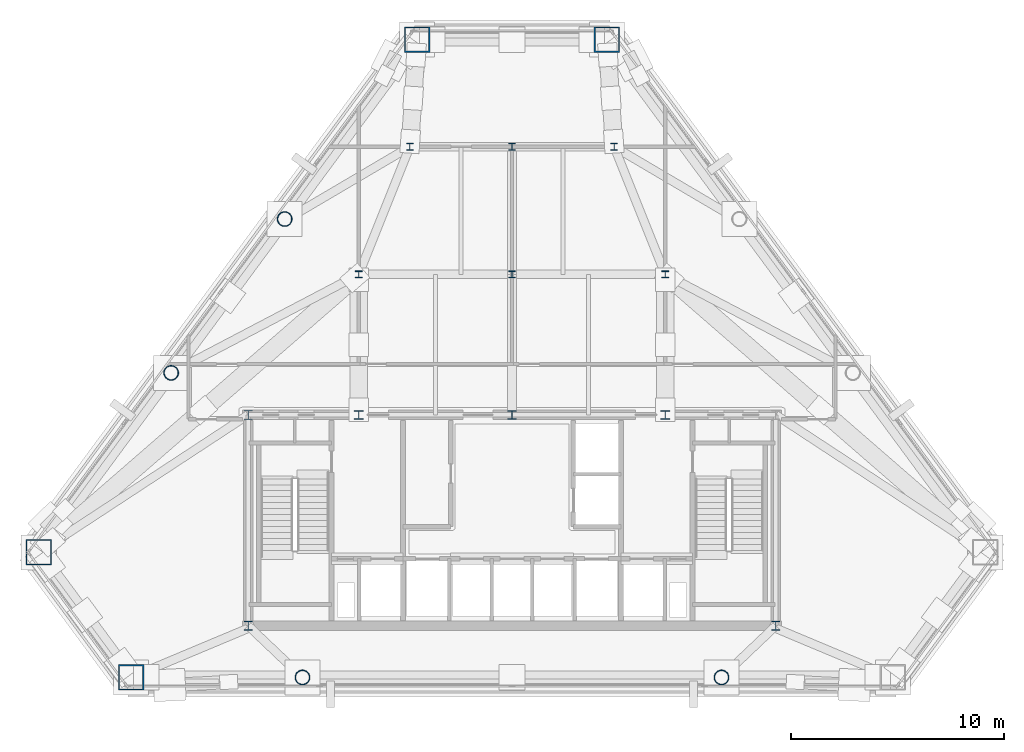
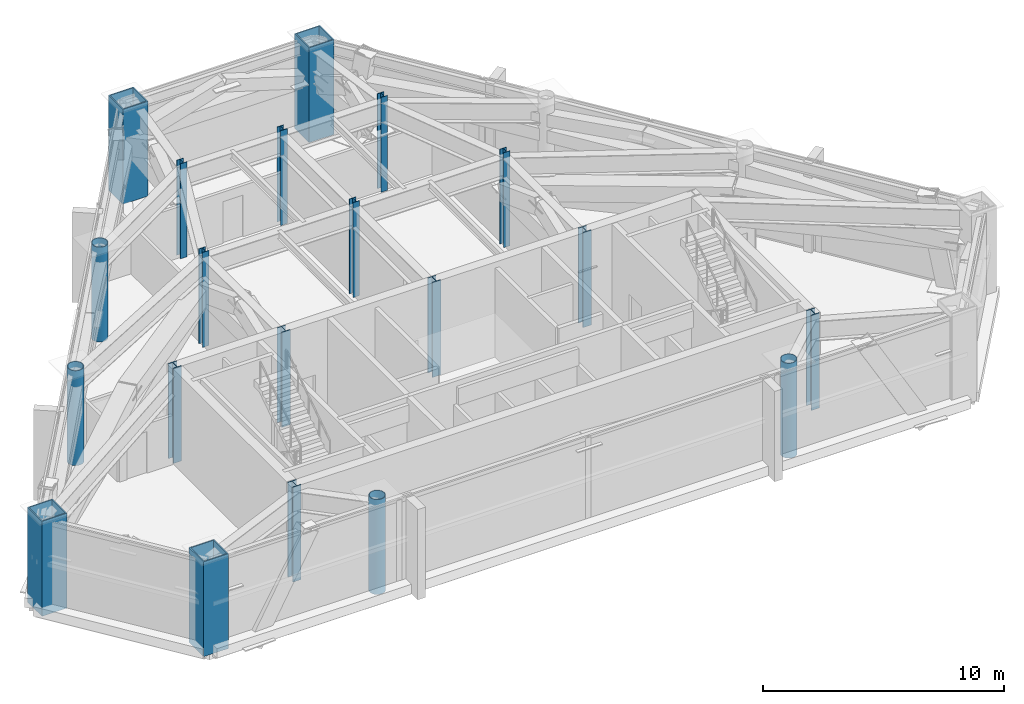
# One storey, part 1 of 10: 20 columns.
"""IFC4 building model written with IfcOpenShell, lengths in metres."""

import ifcopenshell
import ifcopenshell.guid

model = None  # the IFC model being written
_history = None  # IfcOwnerHistory: only IFC2X3 demands one
_inside = {}  # id of a spatial element -> (the spatial element, [elements in it])
_under = {}  # id of a project, library or spatial element -> (it, [spatial elements below it])
_declared = {}  # id of a project -> (the project, [libraries it declares])
_typed = {}  # id of a type object -> (the type object, [elements of that type])
_made_of = {}  # id of a material, layer set ... -> (it, [elements and type objects made of it])


def new_model(schema):
    """Start an empty IFC model of exactly this schema.

    Asked for "IFC4X3", IfcOpenShell would pick the latest addendum, in which some entities
    have other attributes; the version numbers below select the first issue.
    IFC2X3 requires an IfcOwnerHistory on every rooted entity: one is made here for all.
    """
    global model, _history
    if schema == "IFC4X3":
        model = ifcopenshell.file(schema_version=(4, 3, 0, 0))
    else:
        model = ifcopenshell.file(schema=schema)
    _inside.clear()
    _under.clear()
    _declared.clear()
    _typed.clear()
    _made_of.clear()
    _history = None
    if model.schema == "IFC2X3":
        org = make("IfcOrganization", Name="unknown")
        user = make(
            "IfcPersonAndOrganization",
            ThePerson=make("IfcPerson", FamilyName="unknown"),
            TheOrganization=org,
        )
        app = make(
            "IfcApplication",
            ApplicationDeveloper=org,
            Version="unknown",
            ApplicationFullName="unknown",
            ApplicationIdentifier="unknown",
        )
        _history = make(
            "IfcOwnerHistory",
            OwningUser=user,
            OwningApplication=app,
            ChangeAction="ADDED",
            CreationDate=0,
        )
    return model


def make(cls, **values):
    """One entity of the class cls with the attributes given. An attribute that is None is left unset."""
    return model.create_entity(
        cls, **{name: value for name, value in values.items() if value is not None}
    )


def rooted(cls, **values):
    """An entity with a GlobalId (a new one), such as an element, a storey or a relation."""
    return make(cls, GlobalId=ifcopenshell.guid.new(), OwnerHistory=_history, **values)


def si_unit(unit_type, name, prefix=None):
    """IfcSIUnit, for example si_unit("LENGTHUNIT", "METRE", prefix="MILLI")."""
    return make("IfcSIUnit", UnitType=unit_type, Prefix=prefix, Name=name)


def assignment(units):
    """IfcUnitAssignment: the units of a project."""
    return None if units is None else make("IfcUnitAssignment", Units=units)


def point(xyz):
    """IfcCartesianPoint."""
    return None if xyz is None else make("IfcCartesianPoint", Coordinates=xyz)


def direction(xyz):
    """IfcDirection."""
    return None if xyz is None else make("IfcDirection", DirectionRatios=xyz)


def frame(location, z_axis=None, x_axis=None):
    """IfcAxis2Placement3D, a coordinate frame: its origin and axes. An axis left out is left unset."""
    return make(
        "IfcAxis2Placement3D",
        Location=point(location),
        Axis=direction(z_axis),
        RefDirection=direction(x_axis),
    )


def frame_2d(location, x_axis=None):
    """IfcAxis2Placement2D, a coordinate frame in the plane: its origin and x axis."""
    return make(
        "IfcAxis2Placement2D", Location=point(location), RefDirection=direction(x_axis)
    )


def origin():
    """The frame at (0, 0, 0) with its axes left unset."""
    return frame((0.0, 0.0, 0.0))


def origin_2d():
    """The frame at (0, 0) in the plane with its x axis left unset."""
    return frame_2d((0.0, 0.0))


def place(relative_to, where):
    """IfcLocalPlacement: puts the frame where relative to a parent placement (None: the world)."""
    return make(
        "IfcLocalPlacement", PlacementRelTo=relative_to, RelativePlacement=where
    )


def context(
    kind, dimensions, precision=None, world=None, true_north=None, identifier=None
):
    """IfcGeometricRepresentationContext, for example the 3D "Model" context."""
    return make(
        "IfcGeometricRepresentationContext",
        ContextIdentifier=identifier,
        ContextType=kind,
        CoordinateSpaceDimension=dimensions,
        Precision=precision,
        WorldCoordinateSystem=world,
        TrueNorth=true_north,
    )


def subcontext(parent, identifier, kind, view, scale=None):
    """IfcGeometricRepresentationSubContext, for example "Body" below "Model"."""
    return make(
        "IfcGeometricRepresentationSubContext",
        ContextIdentifier=identifier,
        ContextType=kind,
        ParentContext=parent,
        TargetScale=scale,
        TargetView=view,
    )


def project(units=None, contexts=None):
    """IfcProject with its units and contexts."""
    return rooted(
        "IfcProject",
        Name="project",
        RepresentationContexts=contexts,
        UnitsInContext=assignment(units),
    )


def spatial(cls, under=None, at=None, **own):
    """A site, building, storey or space (cls), placed at a placement, below another one or the project."""
    s = rooted(cls, ObjectPlacement=at, **own)
    if under is not None:
        _under.setdefault(under.id(), (under, []))[1].append(s)
    return s


def profile(cls, at=None, kind="AREA", **sizes):
    """A parametric profile (cls). Its sizes go by their IFC names, for example OverallWidth=200.0."""
    return make(cls, ProfileType=kind, Position=at, **sizes)


def hollow_rectangle(**sizes):
    """IfcRectangleHollowProfileDef."""
    return profile("IfcRectangleHollowProfileDef", **sizes)


def hollow_circle(**sizes):
    """IfcCircleHollowProfileDef."""
    return profile("IfcCircleHollowProfileDef", **sizes)


def i_section(**sizes):
    """IfcIShapeProfileDef."""
    return profile("IfcIShapeProfileDef", **sizes)


def extrude(swept, where, along, depth):
    """IfcExtrudedAreaSolid: the profile swept, set in the frame where, extruded along a direction by depth."""
    return make(
        "IfcExtrudedAreaSolid",
        SweptArea=swept,
        Position=where,
        ExtrudedDirection=direction(along),
        Depth=depth,
    )


def shape(context_of_items, identifier, shape_type, items):
    """IfcShapeRepresentation: the items that make up one representation, for example the "Body"."""
    return make(
        "IfcShapeRepresentation",
        ContextOfItems=context_of_items,
        RepresentationIdentifier=identifier,
        RepresentationType=shape_type,
        Items=items,
    )


def material(Name=None, Category=None):
    """IfcMaterial."""
    return make("IfcMaterial", Name=Name, Category=Category)


def material_profile(
    of_material, cross_section, Name=None, Category=None, Priority=None
):
    """IfcMaterialProfile: a cross section and its material."""
    return make(
        "IfcMaterialProfile",
        Name=Name,
        Material=of_material,
        Profile=cross_section,
        Priority=Priority,
        Category=Category,
    )


def profile_set(profiles, Name=None, composite=None):
    """IfcMaterialProfileSet."""
    return make(
        "IfcMaterialProfileSet",
        Name=Name,
        MaterialProfiles=profiles,
        CompositeProfile=composite,
    )


def made_of(thing, what):
    """Note that an element or type object is made of a material, layer set ...; save() writes the relation."""
    if what is not None:
        _made_of.setdefault(what.id(), (what, []))[1].append(thing)
    return thing


def type_object(cls, material=None, **own):
    """A type object (cls), such as IfcWallType, which elements share."""
    return made_of(rooted(cls, **own), material)


def element(
    cls,
    number,
    at=None,
    inside=None,
    cuts=None,
    type_object=None,
    material=None,
    context=None,
    identifier="Body",
    shape_type=None,
    held_by="IfcProductDefinitionShape",
    body=None,
    shapes=None,
    **own,
):
    """One element of the class cls, such as IfcWall. Its Tag is "e" and its number.

    at: its placement. inside: the storey or other place that contains it. cuts: it is an
    opening in that element (IfcRelVoidsElement). A single representation is given by context,
    identifier, shape_type and body (its items); several are given by shapes. held_by: the class
    of the entity that holds the representations. save() writes the other relations.
    """
    e = rooted(cls, Tag="e%d" % number, ObjectPlacement=at, **own)
    if body is not None:
        shapes = [shape(context, identifier, shape_type, body)]
    if shapes is not None:
        e.Representation = make(held_by, Representations=shapes)
    if inside is not None:
        _inside.setdefault(inside.id(), (inside, []))[1].append(e)
    if cuts is not None:
        rooted(
            "IfcRelVoidsElement", RelatingBuildingElement=cuts, RelatedOpeningElement=e
        )
    if type_object is not None:
        _typed.setdefault(type_object.id(), (type_object, []))[1].append(e)
    return made_of(e, material)


def aggregate(whole, parts):
    """IfcRelAggregates: a whole, such as a stair, and the parts it consists of."""
    return rooted("IfcRelAggregates", RelatingObject=whole, RelatedObjects=parts)


def save(model, path):
    """Write the relations noted so far, then the file.

    IfcRelAggregates (storeys below a building ...), IfcRelContainedInSpatialStructure (elements
    in a storey), IfcRelDefinesByType, IfcRelAssociatesMaterial and IfcRelDeclares: one each for
    every whole, place, type object, material and project.
    """
    for whole, parts in _under.values():
        aggregate(whole, parts)
    for where, things in _inside.values():
        rooted(
            "IfcRelContainedInSpatialStructure",
            RelatedElements=things,
            RelatingStructure=where,
        )
    for kind, things in _typed.values():
        rooted("IfcRelDefinesByType", RelatedObjects=things, RelatingType=kind)
    for what, things in _made_of.values():
        rooted("IfcRelAssociatesMaterial", RelatedObjects=things, RelatingMaterial=what)
    for by, libraries in _declared.values():
        rooted("IfcRelDeclares", RelatingContext=by, RelatedDefinitions=libraries)
    model.write(path)


model = new_model("IFC4")

# Units and contexts
model_context = context("Model", 3, precision=1e-05, world=origin(), true_north=direction((0.0, 1.0)))
body_context = subcontext(model_context, "Body", "Model", "MODEL_VIEW")
ifc_project = project(units=[si_unit("LENGTHUNIT", "METRE"), si_unit("AREAUNIT", "SQUARE_METRE"), si_unit("VOLUMEUNIT", "CUBIC_METRE"), si_unit("PLANEANGLEUNIT", "RADIAN"), si_unit("MASSUNIT", "GRAM", prefix="KILO")], contexts=[model_context])

# Site, building, storey
site_placement = place(None, origin())
site = spatial("IfcSite", under=ifc_project, at=site_placement, CompositionType="ELEMENT")
building_placement = place(site_placement, origin())
building = spatial("IfcBuilding", under=site, at=building_placement, Name="Talgorran Terracotta Tower", CompositionType="ELEMENT")
storey_placement = place(building_placement, frame((0.0, 0.0, 168.89990234375)))
storey = spatial("IfcBuildingStorey", under=building, at=storey_placement, Name="L44", CompositionType="ELEMENT", Elevation=168.89990234375)

# Columns
ifc_material_1 = material(Name="Steel S355 (300PLUS)", Category="steel")
ifc_material_profile_1 = material_profile(ifc_material_1, i_section(OverallWidth=0.311279296875, OverallDepth=0.3271484375, WebThickness=0.015625, FlangeThickness=0.02490234375, at=origin_2d()), Name="310UC158")
ifc_profile_set_1 = profile_set([ifc_material_profile_1], Name="Steel S355 (300PLUS)")
column_type_1 = type_object("IfcColumnType", Name="COL_310UC158", PredefinedType="COLUMN", material=ifc_profile_set_1)
for number, where, z_axis, x_axis, name in (
    (1, (-7.199951171875, 2.39990234375, 0.0), (0.0, 0.0, 1.0), (1.0, 0.0, 0.0), "L44 Interior Gravity Column IC1"),
    (2, (0.0, 2.39990234375, 0.0), (0.0, 0.0, 1.0), (1.0, 0.0, 0.0), "L44 Interior Gravity Column IC2"),
    (3, (7.199951171875, 2.39990234375, 0.0), (0.0, 0.0, 1.0), (1.0, 0.0, 0.0), "L44 Interior Gravity Column IC3"),
    (4, (-4.800048828125, 8.39990234375, 0.0), (0.0, 0.0, 1.0), (1.0, 0.0, 0.0), "L44 Interior Gravity Column IC4"),
    (5, (0.0, 8.39990234375, 0.0), (0.0, 0.0, 1.0), (1.0, 0.0, 0.0), "L44 Interior Gravity Column IC5"),
    (6, (4.800048828125, 8.39990234375, 0.0), (0.0, 0.0, 1.0), (1.0, 0.0, 0.0), "L44 Interior Gravity Column IC6"),
):
    element("IfcColumn", number, at=place(storey_placement, frame(where, z_axis=z_axis, x_axis=x_axis)), inside=storey, type_object=column_type_1, Name=name, PredefinedType="COLUMN", context=body_context, shape_type="SweptSolid", body=[
        extrude(i_section(OverallWidth=0.311279296875, OverallDepth=0.3271484375, WebThickness=0.015625, FlangeThickness=0.02490234375, at=origin_2d()), origin(), (0.0, 0.0, 1.0), 4.800048828125),
    ])
ifc_material_profile_2 = material_profile(ifc_material_1, i_section(OverallWidth=0.39990234375, OverallDepth=0.43994140625, WebThickness=0.028076171875, FlangeThickness=0.0400390625, at=origin_2d()), Name="400WC328")
ifc_profile_set_2 = profile_set([ifc_material_profile_2], Name="Steel S355 (300PLUS)")
column_type_2 = type_object("IfcColumnType", Name="COL_400WC328", PredefinedType="COLUMN", material=ifc_profile_set_2)
for number, where, z_axis, x_axis, name in (
    (7, (-12.39990234375, -14.10009765625, 0.0), (0.0, 0.0, 1.0), (1.0, 0.0, 0.0), "L44 Core Boundary Column CC1"),
    (8, (12.39990234375, -14.10009765625, 0.0), (0.0, 0.0, 1.0), (1.0, 0.0, 0.0), "L44 Core Boundary Column CC2"),
    (9, (-12.39990234375, -4.199951171875, 0.0), (0.0, 0.0, 1.0), (1.0, 0.0, 0.0), "L44 Core Boundary Column CC4"),
):
    element("IfcColumn", number, at=place(storey_placement, frame(where, z_axis=z_axis, x_axis=x_axis)), inside=storey, type_object=column_type_2, Name=name, PredefinedType="COLUMN", context=body_context, shape_type="SweptSolid", body=[
        extrude(i_section(OverallWidth=0.39990234375, OverallDepth=0.43994140625, WebThickness=0.028076171875, FlangeThickness=0.0400390625, at=origin_2d()), origin(), (0.0, 0.0, 1.0), 4.800048828125),
    ])
ifc_material_2 = material(Name="Steel Grade 350 (350L0)", Category="steel")
ifc_material_profile_3 = material_profile(ifc_material_2, hollow_rectangle(XDim=1.199951171875, YDim=1.199951171875, WallThickness=0.054931640625, at=origin_2d()), Name="CFT1200X1200X55")
ifc_profile_set_3 = profile_set([ifc_material_profile_3], Name="Steel Grade 350 (350L0)")
column_type_3 = type_object("IfcColumnType", Name="COL_CFT_1200", PredefinedType="COLUMN", material=ifc_profile_set_3)
for number, where, z_axis, x_axis, name in (
    (10, (-22.234130859375, -10.654541015625, 0.0), (0.0, 0.0, 1.0), (1.0, 0.0, 0.0), "L44 Corner CFT Mega-Column MC1"),
    (11, (-17.898193359375, -16.530029296875, 0.0), (0.0, 0.0, 1.0), (1.0, 0.0, 0.0), "L44 Corner CFT Mega-Column MC2"),
    (12, (4.45703125, 13.4345703125, 0.0), (0.0, 0.0, 1.0), (1.0, 0.0, 0.0), "L44 Corner CFT Mega-Column MC5"),
    (13, (-4.45703125, 13.4345703125, 0.0), (0.0, 0.0, 1.0), (1.0, 0.0, 0.0), "L44 Corner CFT Mega-Column MC6"),
):
    element("IfcColumn", number, at=place(storey_placement, frame(where, z_axis=z_axis, x_axis=x_axis)), inside=storey, type_object=column_type_3, Name=name, PredefinedType="COLUMN", context=body_context, shape_type="SweptSolid", body=[
        extrude(hollow_rectangle(XDim=1.199951171875, YDim=1.199951171875, WallThickness=0.054931640625, at=origin_2d()), origin(), (0.0, 0.0, 1.0), 4.800048828125),
    ])
ifc_material_profile_4 = material_profile(ifc_material_2, hollow_circle(Radius=0.35009765625, WallThickness=0.030029296875, at=origin_2d()), Name="CHS700X30")
ifc_profile_set_4 = profile_set([ifc_material_profile_4], Name="Steel Grade 350 (350L0)")
column_type_4 = type_object("IfcColumnType", Name="COL_CHS_700", PredefinedType="COLUMN", material=ifc_profile_set_4)
for number, where, z_axis, x_axis, name in (
    (14, (-9.843994140625, -16.530029296875, 0.0), (0.0, 0.0, 1.0), (1.0, 0.0, 0.0), "L44 Facet Perimeter Column FC1"),
    (15, (9.843994140625, -16.530029296875, 0.0), (0.0, 0.0, 1.0), (1.0, 0.0, 0.0), "L44 Facet Perimeter Column FC2"),
    (16, (-10.67919921875, 5.00341796875, 0.0), (0.0, 0.0, 1.0), (1.0, 0.0, 0.0), "L44 Facet Perimeter Column FC5"),
    (17, (-16.01220703125, -2.223388671875, 0.0), (0.0, 0.0, 1.0), (1.0, 0.0, 0.0), "L44 Facet Perimeter Column FC6"),
):
    element("IfcColumn", number, at=place(storey_placement, frame(where, z_axis=z_axis, x_axis=x_axis)), inside=storey, type_object=column_type_4, Name=name, PredefinedType="COLUMN", context=body_context, shape_type="SweptSolid", body=[
        extrude(hollow_circle(Radius=0.35009765625, WallThickness=0.030029296875, at=origin_2d()), origin(), (0.0, 0.0, 1.0), 4.800048828125),
    ])
ifc_material_profile_5 = material_profile(ifc_material_1, i_section(OverallWidth=0.405029296875, OverallDepth=0.4140625, WebThickness=0.02197265625, FlangeThickness=0.031982421875, at=origin_2d()), Name="400WC270")
ifc_profile_set_5 = profile_set([ifc_material_profile_5], Name="Steel S355 (300PLUS)")
column_type_5 = type_object("IfcColumnType", Name="COL_PIL_400WC270", PredefinedType="PILASTER", material=ifc_profile_set_5)
for number, where, z_axis, x_axis, name in (
    (18, (-7.199951171875, -4.199951171875, 0.0), (0.0, 0.0, 1.0), (1.0, 0.0, 0.0), "L44 Core Shear Pilaster CP1"),
    (19, (0.0, -4.199951171875, 0.0), (0.0, 0.0, 1.0), (1.0, 0.0, 0.0), "L44 Core Shear Pilaster CP2"),
    (20, (7.199951171875, -4.199951171875, 0.0), (0.0, 0.0, 1.0), (1.0, 0.0, 0.0), "L44 Core Shear Pilaster CP3"),
):
    element("IfcColumn", number, at=place(storey_placement, frame(where, z_axis=z_axis, x_axis=x_axis)), inside=storey, type_object=column_type_5, Name=name, PredefinedType="PILASTER", context=body_context, shape_type="SweptSolid", body=[
        extrude(i_section(OverallWidth=0.405029296875, OverallDepth=0.4140625, WebThickness=0.02197265625, FlangeThickness=0.031982421875, at=origin_2d()), origin(), (0.0, 0.0, 1.0), 4.800048828125),
    ])

save(model, "model.ifc")
